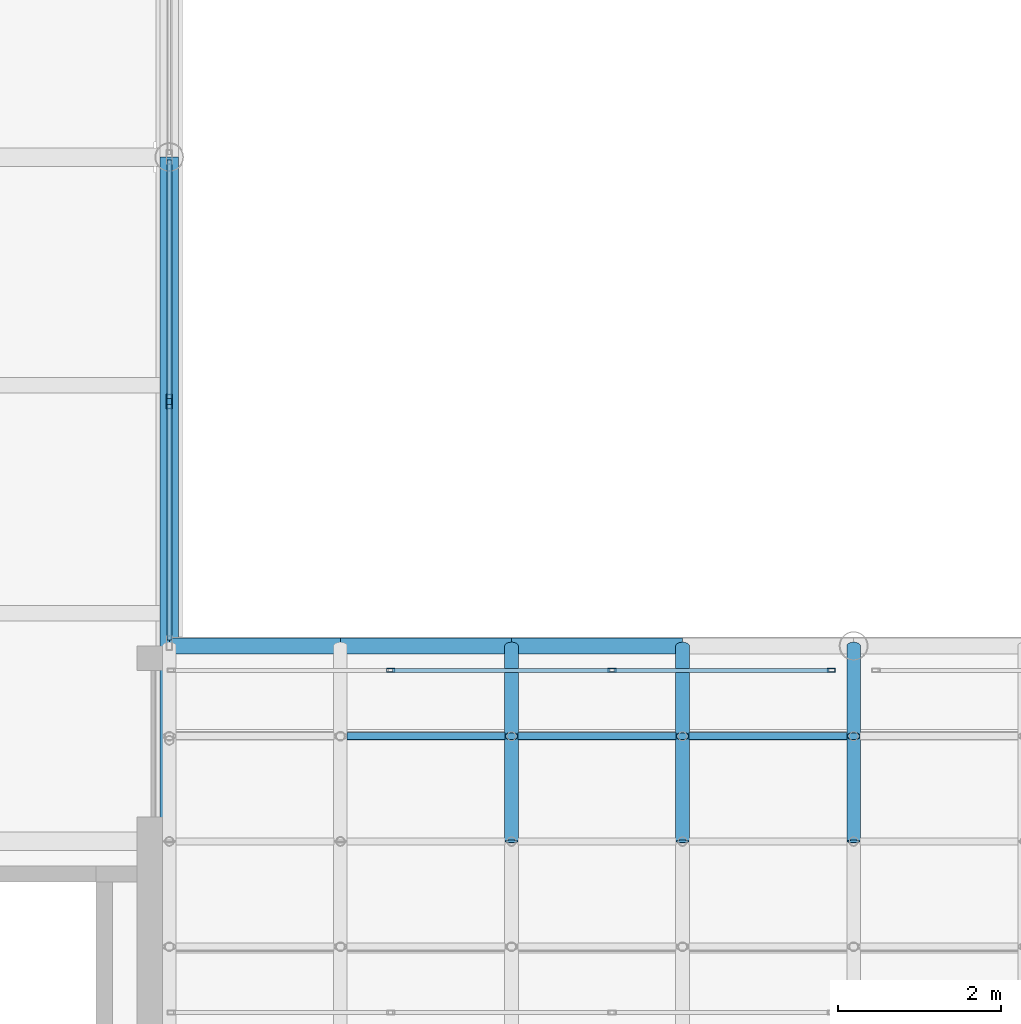
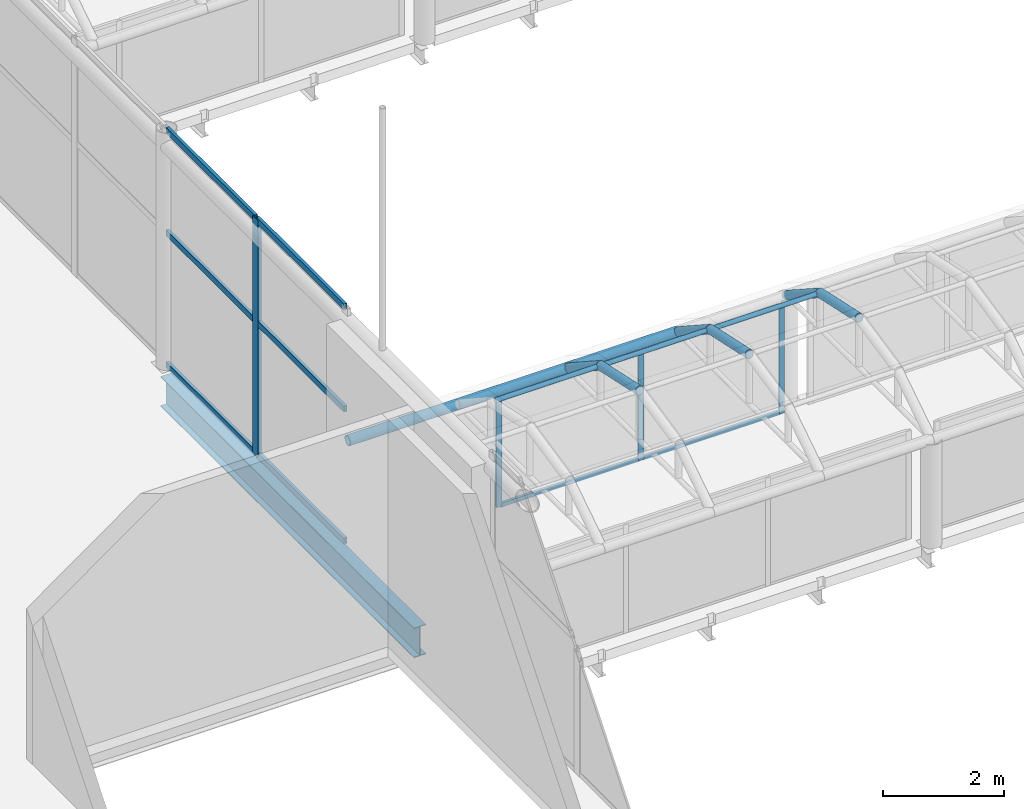
# One storey, part 37 of 167: 26 members, 1 beam, 2 elements without a shape of their own.
"""IFC4 building model written with IfcOpenShell, lengths in metres."""

from ifc_helpers import new_model, si_unit, direction, frame, origin, origin_2d, place, context, subcontext, project, spatial, hollow_rectangle, hollow_circle, i_section, extrude, material, material_profile, profile_set, type_object, element, aggregate, save


model = new_model("IFC4")

# Units and contexts
model_context = context("Model", 3, precision=1e-05, world=origin(), true_north=direction((0.0, 1.0)))
body_context = subcontext(model_context, "Body", "Model", "MODEL_VIEW")
ifc_project = project(units=[si_unit("LENGTHUNIT", "METRE"), si_unit("AREAUNIT", "SQUARE_METRE"), si_unit("VOLUMEUNIT", "CUBIC_METRE"), si_unit("PLANEANGLEUNIT", "RADIAN"), si_unit("MASSUNIT", "GRAM", prefix="KILO")], contexts=[model_context])

# Site, building, storey
site_placement = place(None, origin())
site = spatial("IfcSite", under=ifc_project, at=site_placement, CompositionType="ELEMENT")
building_placement = place(site_placement, origin())
building = spatial("IfcBuilding", under=site, at=building_placement, Name="Catenary Quay Ferry Terminal", CompositionType="ELEMENT")
storey_placement = place(building_placement, frame((0.0, 0.0, 6.0)))
storey = spatial("IfcBuildingStorey", under=building, at=storey_placement, Name="L01", CompositionType="ELEMENT", Elevation=6.0)

# Beam
ifc_material_1 = material(Name="Steel S355", Category="steel")
ifc_material_profile_1 = material_profile(ifc_material_1, i_section(OverallWidth=0.2275390625, OverallDepth=0.6025390625, WebThickness=0.010498046875, FlangeThickness=0.014892578125, at=origin_2d()), Name="UB 610x229x101")
ifc_profile_set_1 = profile_set([ifc_material_profile_1], Name="Steel S355")
beam_type = type_object("IfcBeamType", Name="B3 UB 610x229x101", PredefinedType="BEAM", material=ifc_profile_set_1)
beam_placement = place(storey_placement, frame((92.39990234375, 75.60009765625, -0.5009765625), z_axis=(0.0, 1.0, 0.0), x_axis=(-1.0, 0.0, 0.0)))
element("IfcBeam", 1, at=beam_placement, inside=storey, type_object=beam_type, Name="Beam B3-046", PredefinedType="BEAM", context=body_context, shape_type="SweptSolid", body=[
    extrude(i_section(OverallWidth=0.2275390625, OverallDepth=0.6025390625, WebThickness=0.010498046875, FlangeThickness=0.014892578125, at=origin_2d()), origin(), (0.0, 0.0, 1.0), 8.39990234375),
])

# Curtain wall, members
ifc_material_2 = material(Name="Aluminium and glass", Category="aluminium")
curtain_wall_type_1 = type_object("IfcCurtainWallType", Name="CWB", PredefinedType="NOTDEFINED", material=ifc_material_2)
curtain_wall_1_placement = place(storey_placement, origin())
curtain_wall_1 = element("IfcCurtainWall", 2, at=curtain_wall_1_placement, inside=storey, type_object=curtain_wall_type_1, Name="BB1 curtain wall CW60", PredefinedType="NOTDEFINED")
ifc_material_3 = material(Name="Aluminium", Category="aluminium")
ifc_material_profile_2 = material_profile(ifc_material_3, hollow_rectangle(XDim=0.050048828125, YDim=0.10009765625, WallThickness=0.0048828125, at=origin_2d()), Name="MU1")
ifc_profile_set_2 = profile_set([ifc_material_profile_2], Name="Aluminium")
member_type_1 = type_object("IfcMemberType", Name="MU1", PredefinedType="MULLION", material=ifc_profile_set_2)
member_1_placement = place(storey_placement, frame((95.11669921875, 77.699951171875, 0.0), z_axis=(0.0, 0.0, 1.0), x_axis=(0.0, 1.0, 0.0)))
member_1 = element("IfcMember", 3, at=member_1_placement, type_object=member_type_1, Name="CW60 mullion 2", PredefinedType="MULLION", context=body_context, shape_type="SweptSolid", body=[
    extrude(hollow_rectangle(XDim=0.050048828125, YDim=0.10009765625, WallThickness=0.0048828125, at=origin_2d()), origin(), (0.0, 0.0, 1.0), 2.195068359375),
])
member_2_placement = place(storey_placement, frame((97.833251953125, 77.699951171875, 0.0), z_axis=(0.0, 0.0, 1.0), x_axis=(0.0, 1.0, 0.0)))
member_2 = element("IfcMember", 4, at=member_2_placement, type_object=member_type_1, Name="CW60 mullion 3", PredefinedType="MULLION", context=body_context, shape_type="SweptSolid", body=[
    extrude(hollow_rectangle(XDim=0.050048828125, YDim=0.10009765625, WallThickness=0.0048828125, at=origin_2d()), origin(), (0.0, 0.0, 1.0), 2.195068359375),
])
member_3_placement = place(storey_placement, frame((100.52490234375, 77.699951171875, 0.0), z_axis=(0.0, 0.0, 1.0), x_axis=(0.0, 1.0, 0.0)))
member_3 = element("IfcMember", 5, at=member_3_placement, type_object=member_type_1, Name="CW60 mullion 4", PredefinedType="MULLION", context=body_context, shape_type="SweptSolid", body=[
    extrude(hollow_rectangle(XDim=0.050048828125, YDim=0.10009765625, WallThickness=0.0048828125, at=origin_2d()), origin(), (0.0, 0.0, 1.0), 2.195068359375),
])

# Curtain wall, member
ifc_material_4 = material(Name="Aluminium and glass", Category="aluminium")
curtain_wall_type_2 = type_object("IfcCurtainWallType", Name="CWM", PredefinedType="NOTDEFINED", material=ifc_material_4)
curtain_wall_2_placement = place(storey_placement, origin())
curtain_wall_2 = element("IfcCurtainWall", 6, at=curtain_wall_2_placement, inside=storey, type_object=curtain_wall_type_2, Name="Gable arrivals hall curtain wall CW10", PredefinedType="NOTDEFINED")
ifc_material_5 = material(Name="Aluminium", Category="aluminium")
ifc_material_profile_3 = material_profile(ifc_material_5, hollow_rectangle(XDim=0.070068359375, YDim=0.179931640625, WallThickness=0.006103515625, at=origin_2d()), Name="MU3")
ifc_profile_set_3 = profile_set([ifc_material_profile_3], Name="Aluminium")
member_type_2 = type_object("IfcMemberType", Name="MU3", PredefinedType="MULLION", material=ifc_profile_set_3)
member_4_placement = place(storey_placement, frame((92.39990234375, 81.0, 0.0), z_axis=(0.0, 0.0, 1.0), x_axis=(-1.0, 0.0, 0.0)))
member_4 = element("IfcMember", 7, at=member_4_placement, type_object=member_type_2, Name="CW10 mullion 2", PredefinedType="MULLION", context=body_context, shape_type="SweptSolid", body=[
    extrude(hollow_rectangle(XDim=0.070068359375, YDim=0.179931640625, WallThickness=0.006103515625, at=origin_2d()), origin(), (0.0, 0.0, 1.0), 4.800048828125),
])

# Members
ifc_material_6 = material(Name="Steel S355", Category="steel")
ifc_material_profile_4 = material_profile(ifc_material_6, hollow_circle(Radius=0.04443359375, WallThickness=0.0048828125, at=origin_2d()), Name="CHS 88.9x5")
ifc_profile_set_4 = profile_set([ifc_material_profile_4], Name="Steel S355")
member_type_3 = type_object("IfcMemberType", Name="PU3 CHS 88.9x5", PredefinedType="PURLIN", material=ifc_profile_set_4)
member_5_placement = place(storey_placement, frame((94.580078125, 76.89208984375, 2.821044921875), z_axis=(1.0, 0.0, 0.0), x_axis=(0.0, 1.0, 0.0)))
element("IfcMember", 8, at=member_5_placement, inside=storey, type_object=member_type_3, Name="Purlin PU-RB1-02-03", PredefinedType="PURLIN", context=body_context, shape_type="SweptSolid", body=[
    extrude(hollow_circle(Radius=0.04443359375, WallThickness=0.0048828125, at=origin_2d()), origin(), (0.0, 0.0, 1.0), 1.93994140625),
])
member_6_placement = place(storey_placement, frame((96.679931640625, 76.89208984375, 2.821044921875), z_axis=(1.0, 0.0, 0.0), x_axis=(0.0, 1.0, 0.0)))
element("IfcMember", 9, at=member_6_placement, inside=storey, type_object=member_type_3, Name="Purlin PU-RB1-03-03", PredefinedType="PURLIN", context=body_context, shape_type="SweptSolid", body=[
    extrude(hollow_circle(Radius=0.04443359375, WallThickness=0.0048828125, at=origin_2d()), origin(), (0.0, 0.0, 1.0), 1.940185546875),
])
member_7_placement = place(storey_placement, frame((98.780029296875, 76.89208984375, 2.821044921875), z_axis=(1.0, 0.0, 0.0), x_axis=(0.0, 1.0, 0.0)))
element("IfcMember", 10, at=member_7_placement, inside=storey, type_object=member_type_3, Name="Purlin PU-RB1-04-03", PredefinedType="PURLIN", context=body_context, shape_type="SweptSolid", body=[
    extrude(hollow_circle(Radius=0.04443359375, WallThickness=0.0048828125, at=origin_2d()), origin(), (0.0, 0.0, 1.0), 1.93994140625),
])
ifc_material_7 = material(Name="Steel S355", Category="steel")
ifc_material_profile_5 = material_profile(ifc_material_7, hollow_circle(Radius=0.096923828125, WallThickness=0.010009765625, at=origin_2d()), Name="CHS 193.7x10")
ifc_profile_set_5 = profile_set([ifc_material_profile_5], Name="Steel S355")
member_type_4 = type_object("IfcMemberType", Name="TC2 CHS 193.7x10", PredefinedType="CHORD", material=ifc_profile_set_5)
for number, where, z_axis, x_axis, name in (
    (11, (92.39990234375, 78.0, 2.10009765625), (1.0, 0.0, 0.0), (0.0, 1.0, 0.0), "Bridge top chord BB1N-TC01"),
    (12, (94.5, 78.0, 2.10009765625), (1.0, 0.0, 0.0), (0.0, 1.0, 0.0), "Bridge top chord BB1N-TC02"),
):
    element("IfcMember", number, at=place(storey_placement, frame(where, z_axis=z_axis, x_axis=x_axis)), inside=storey, type_object=member_type_4, Name=name, PredefinedType="CHORD", context=body_context, shape_type="SweptSolid", body=[
        extrude(hollow_circle(Radius=0.096923828125, WallThickness=0.010009765625, at=origin_2d()), origin(), (0.0, 0.0, 1.0), 2.10009765625),
    ])
member_8_placement = place(storey_placement, frame((96.60009765625, 78.0, 2.10009765625), z_axis=(1.0, 0.0, 0.0), x_axis=(0.0, 1.0, 0.0)))
element("IfcMember", 13, at=member_8_placement, inside=storey, type_object=member_type_4, Name="Bridge top chord BB1N-TC03", PredefinedType="CHORD", context=body_context, shape_type="SweptSolid", body=[
    extrude(hollow_circle(Radius=0.096923828125, WallThickness=0.010009765625, at=origin_2d()), origin(), (0.0, 0.0, 1.0), 2.099853515625),
])

# Member
ifc_material_8 = material(Name="Aluminium", Category="aluminium")
ifc_material_profile_6 = material_profile(ifc_material_8, hollow_rectangle(XDim=0.050048828125, YDim=0.080078125, WallThickness=0.00390625, at=origin_2d()), Name="TR1")
ifc_profile_set_6 = profile_set([ifc_material_profile_6], Name="Aluminium")
member_type_5 = type_object("IfcMemberType", Name="TR1", PredefinedType="USERDEFINED", material=ifc_profile_set_6)
member_9_placement = place(storey_placement, frame((95.1416015625, 77.699951171875, 0.02490234375), z_axis=(1.0, 0.0, 0.0), x_axis=(0.0, 1.0, 0.0)))
member_9 = element("IfcMember", 14, at=member_9_placement, type_object=member_type_5, Name="CW60 transom 2.1", ObjectType="TRANSOM", PredefinedType="USERDEFINED", context=body_context, shape_type="SweptSolid", body=[
    extrude(hollow_rectangle(XDim=0.050048828125, YDim=0.080078125, WallThickness=0.00390625, at=origin_2d()), origin(), (0.0, 0.0, 1.0), 2.666748046875),
])

member_10_placement = place(storey_placement, frame((95.1416015625, 77.699951171875, 2.169921875), z_axis=(1.0, 0.0, 0.0), x_axis=(0.0, 1.0, 0.0)))
member_10 = element("IfcMember", 15, at=member_10_placement, type_object=member_type_5, Name="CW60 transom 2.2", ObjectType="TRANSOM", PredefinedType="USERDEFINED", context=body_context, shape_type="SweptSolid", body=[
    extrude(hollow_rectangle(XDim=0.050048828125, YDim=0.080078125, WallThickness=0.00390625, at=origin_2d()), origin(), (0.0, 0.0, 1.0), 2.666748046875),
])

member_11_placement = place(storey_placement, frame((97.8583984375, 77.699951171875, 0.02490234375), z_axis=(1.0, 0.0, 0.0), x_axis=(0.0, 1.0, 0.0)))
member_11 = element("IfcMember", 16, at=member_11_placement, type_object=member_type_5, Name="CW60 transom 3.1", ObjectType="TRANSOM", PredefinedType="USERDEFINED", context=body_context, shape_type="SweptSolid", body=[
    extrude(hollow_rectangle(XDim=0.050048828125, YDim=0.080078125, WallThickness=0.00390625, at=origin_2d()), origin(), (0.0, 0.0, 1.0), 2.6416015625),
])

member_12_placement = place(storey_placement, frame((97.8583984375, 77.699951171875, 2.169921875), z_axis=(1.0, 0.0, 0.0), x_axis=(0.0, 1.0, 0.0)))
member_12 = element("IfcMember", 17, at=member_12_placement, type_object=member_type_5, Name="CW60 transom 3.2", ObjectType="TRANSOM", PredefinedType="USERDEFINED", context=body_context, shape_type="SweptSolid", body=[
    extrude(hollow_rectangle(XDim=0.050048828125, YDim=0.080078125, WallThickness=0.00390625, at=origin_2d()), origin(), (0.0, 0.0, 1.0), 2.6416015625),
])

aggregate(curtain_wall_1, [member_1, member_2, member_3, member_9, member_10, member_11, member_12])

ifc_material_9 = material(Name="Aluminium", Category="aluminium")
ifc_material_profile_7 = material_profile(ifc_material_9, hollow_rectangle(XDim=0.06005859375, YDim=0.1201171875, WallThickness=0.0048828125, at=origin_2d()), Name="TR3")
ifc_profile_set_7 = profile_set([ifc_material_profile_7], Name="Aluminium")
member_type_6 = type_object("IfcMemberType", Name="TR3", PredefinedType="USERDEFINED", material=ifc_profile_set_7)
member_13_placement = place(storey_placement, frame((92.39990234375, 78.070068359375, 0.030029296875), z_axis=(0.0, 1.0, 0.0), x_axis=(-1.0, 0.0, 0.0)))
member_13 = element("IfcMember", 18, at=member_13_placement, type_object=member_type_6, Name="CW10 transom 1.1", ObjectType="TRANSOM", PredefinedType="USERDEFINED", context=body_context, shape_type="SweptSolid", body=[
    extrude(hollow_rectangle(XDim=0.06005859375, YDim=0.1201171875, WallThickness=0.0048828125, at=origin_2d()), origin(), (0.0, 0.0, 1.0), 2.89501953125),
])

member_14_placement = place(storey_placement, frame((92.39990234375, 78.070068359375, 2.699951171875), z_axis=(0.0, 1.0, 0.0), x_axis=(-1.0, 0.0, 0.0)))
member_14 = element("IfcMember", 19, at=member_14_placement, type_object=member_type_6, Name="CW10 transom 1.2", ObjectType="TRANSOM", PredefinedType="USERDEFINED", context=body_context, shape_type="SweptSolid", body=[
    extrude(hollow_rectangle(XDim=0.06005859375, YDim=0.1201171875, WallThickness=0.0048828125, at=origin_2d()), origin(), (0.0, 0.0, 1.0), 2.89501953125),
])

member_15_placement = place(storey_placement, frame((92.39990234375, 78.070068359375, 4.77001953125), z_axis=(0.0, 1.0, 0.0), x_axis=(-1.0, 0.0, 0.0)))
member_15 = element("IfcMember", 20, at=member_15_placement, type_object=member_type_6, Name="CW10 transom 1.3", ObjectType="TRANSOM", PredefinedType="USERDEFINED", context=body_context, shape_type="SweptSolid", body=[
    extrude(hollow_rectangle(XDim=0.06005859375, YDim=0.1201171875, WallThickness=0.0048828125, at=origin_2d()), origin(), (0.0, 0.0, 1.0), 2.89501953125),
])

member_16_placement = place(storey_placement, frame((92.39990234375, 81.034912109375, 0.030029296875), z_axis=(0.0, 1.0, 0.0), x_axis=(-1.0, 0.0, 0.0)))
member_16 = element("IfcMember", 21, at=member_16_placement, type_object=member_type_6, Name="CW10 transom 2.1", ObjectType="TRANSOM", PredefinedType="USERDEFINED", context=body_context, shape_type="SweptSolid", body=[
    extrude(hollow_rectangle(XDim=0.06005859375, YDim=0.1201171875, WallThickness=0.0048828125, at=origin_2d()), origin(), (0.0, 0.0, 1.0), 2.93017578125),
])

member_17_placement = place(storey_placement, frame((92.39990234375, 81.034912109375, 2.699951171875), z_axis=(0.0, 1.0, 0.0), x_axis=(-1.0, 0.0, 0.0)))
member_17 = element("IfcMember", 22, at=member_17_placement, type_object=member_type_6, Name="CW10 transom 2.2", ObjectType="TRANSOM", PredefinedType="USERDEFINED", context=body_context, shape_type="SweptSolid", body=[
    extrude(hollow_rectangle(XDim=0.06005859375, YDim=0.1201171875, WallThickness=0.0048828125, at=origin_2d()), origin(), (0.0, 0.0, 1.0), 2.93017578125),
])

member_18_placement = place(storey_placement, frame((92.39990234375, 81.034912109375, 4.77001953125), z_axis=(0.0, 1.0, 0.0), x_axis=(-1.0, 0.0, 0.0)))
member_18 = element("IfcMember", 23, at=member_18_placement, type_object=member_type_6, Name="CW10 transom 2.3", ObjectType="TRANSOM", PredefinedType="USERDEFINED", context=body_context, shape_type="SweptSolid", body=[
    extrude(hollow_rectangle(XDim=0.06005859375, YDim=0.1201171875, WallThickness=0.0048828125, at=origin_2d()), origin(), (0.0, 0.0, 1.0), 2.93017578125),
])

aggregate(curtain_wall_2, [member_4, member_13, member_14, member_15, member_16, member_17, member_18])

# Members
ifc_material_10 = material(Name="Steel S355", Category="steel")
ifc_material_profile_8 = material_profile(ifc_material_10, hollow_circle(Radius=0.084228515625, WallThickness=0.008056640625, at=origin_2d()), Name="CHS 168.3x8")
ifc_profile_set_8 = profile_set([ifc_material_profile_8], Name="Steel S355")
member_type_7 = type_object("IfcMemberType", Name="VR4 CHS 168.3x8", PredefinedType="RAFTER", material=ifc_profile_set_8)
for number, where, z_axis, x_axis, name in (
    (24, (96.60009765625, 75.60009765625, 3.10009765625), (0.0, 0.977460543774, -0.211118178672), (-1.0, 0.0, 0.0), "rib RB1-03-03"),
    (25, (96.60009765625, 76.89208984375, 2.821044921875), (0.0, 0.838164997293, -0.545416755621), (-1.0, 0.0, 0.0), "rib RB1-03-04"),
    (26, (98.699951171875, 75.60009765625, 3.10009765625), (0.0, 0.977460543774, -0.211118178672), (-1.0, 0.0, 0.0), "rib RB1-04-03"),
    (27, (98.699951171875, 76.89208984375, 2.821044921875), (0.0, 0.838164997293, -0.545416755621), (-1.0, 0.0, 0.0), "rib RB1-04-04"),
    (28, (100.800048828125, 75.60009765625, 3.10009765625), (0.0, 0.977460543774, -0.211118178672), (-1.0, 0.0, 0.0), "rib RB1-05-03"),
    (29, (100.800048828125, 76.89208984375, 2.821044921875), (0.0, 0.838164997293, -0.545416755621), (-1.0, 0.0, 0.0), "rib RB1-05-04"),
):
    element("IfcMember", number, at=place(storey_placement, frame(where, z_axis=z_axis, x_axis=x_axis)), inside=storey, type_object=member_type_7, Name=name, PredefinedType="RAFTER", context=body_context, shape_type="SweptSolid", body=[
        extrude(hollow_circle(Radius=0.084228515625, WallThickness=0.008056640625, at=origin_2d()), origin(), (0.0, 0.0, 1.0), 1.32177734375),
    ])

save(model, "model.ifc")
